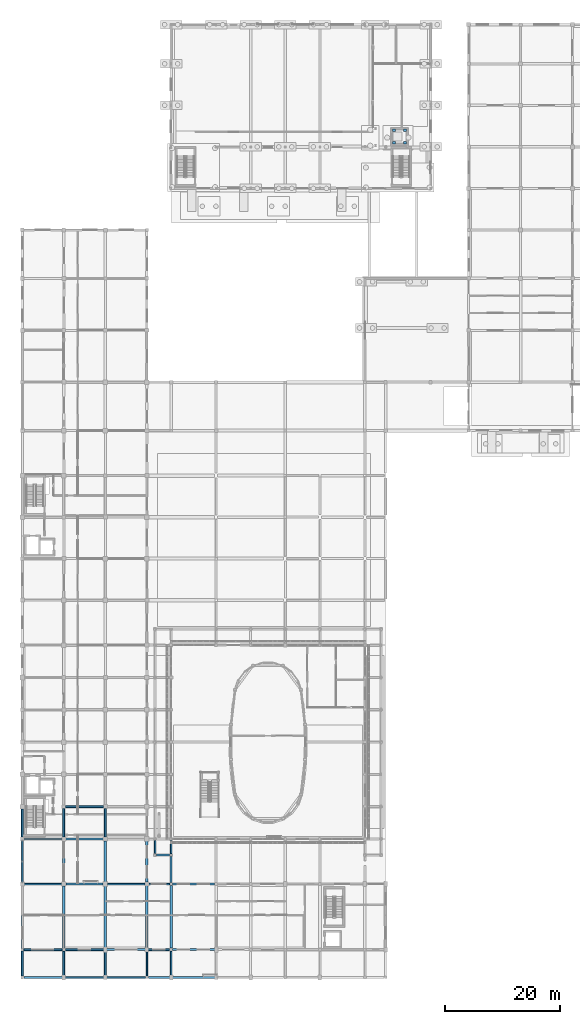
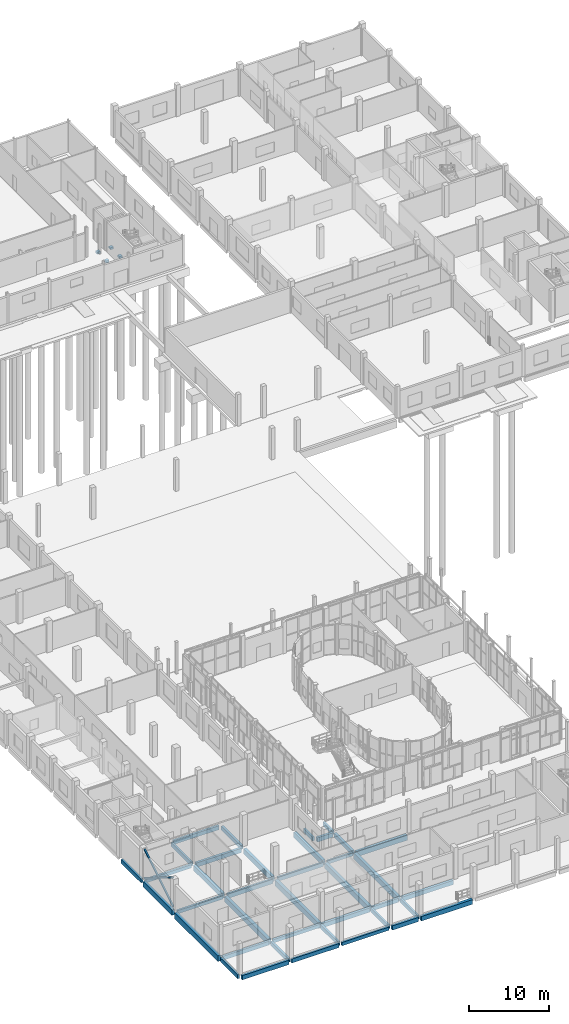
# One storey, part 24 of 91: 39 beams, 4 columns, 3 members.
"""IFC4 building model written with IfcOpenShell, lengths in metres."""

from ifc_helpers import new_model, si_unit, direction, frame, origin, origin_2d, place, context, subcontext, project, spatial, rectangle, hollow_rectangle, extrude, material, material_profile, profile_set, type_object, element, save


model = new_model("IFC4")

# Units and contexts
model_context = context("Model", 3, precision=1e-05, world=origin(), true_north=direction((0.0, 1.0)))
body_context = subcontext(model_context, "Body", "Model", "MODEL_VIEW")
ifc_project = project(units=[si_unit("LENGTHUNIT", "METRE"), si_unit("AREAUNIT", "SQUARE_METRE"), si_unit("VOLUMEUNIT", "CUBIC_METRE"), si_unit("PLANEANGLEUNIT", "RADIAN"), si_unit("MASSUNIT", "GRAM", prefix="KILO")], contexts=[model_context])

# Site, building, storey
site_placement = place(None, origin())
site = spatial("IfcSite", under=ifc_project, at=site_placement, CompositionType="ELEMENT")
building_placement = place(site_placement, origin())
building = spatial("IfcBuilding", under=site, at=building_placement, Name="Vinh Khe Railworks Police Headquarters", CompositionType="ELEMENT")
storey_placement = place(building_placement, origin())
storey = spatial("IfcBuildingStorey", under=building, at=storey_placement, Name="L00", CompositionType="ELEMENT", Elevation=0.0)

# Columns
ifc_material_1 = material(Name="Concrete C40/50 (B40)", Category="concrete")
ifc_material_profile_1 = material_profile(ifc_material_1, rectangle(XDim=0.449951171875, YDim=0.449951171875, at=origin_2d()), Name="RC 450x450")
ifc_profile_set_1 = profile_set([ifc_material_profile_1], Name="Concrete C40/50 (B40)")
column_type = type_object("IfcColumnType", Name="RC Column RC 450x450", PredefinedType="COLUMN", material=ifc_profile_set_1)
for number, where, z_axis, x_axis, name in (
    (1, (65.050048828125, 145.89990234375, -2.14990234375), (0.0, 0.0, 1.0), (1.0, 0.0, 0.0), "Lift Pit Support Pier PL-05-1"),
    (2, (66.949951171875, 145.89990234375, -2.14990234375), (0.0, 0.0, 1.0), (1.0, 0.0, 0.0), "Lift Pit Support Pier PL-05-2"),
    (3, (65.050048828125, 148.10009765625, -2.14990234375), (0.0, 0.0, 1.0), (1.0, 0.0, 0.0), "Lift Pit Support Pier PL-05-3"),
    (4, (66.949951171875, 148.10009765625, -2.14990234375), (0.0, 0.0, 1.0), (1.0, 0.0, 0.0), "Lift Pit Support Pier PL-05-4"),
):
    element("IfcColumn", number, at=place(storey_placement, frame(where, z_axis=z_axis, x_axis=x_axis)), inside=storey, type_object=column_type, Name=name, PredefinedType="COLUMN", context=body_context, shape_type="SweptSolid", body=[
        extrude(rectangle(XDim=0.449951171875, YDim=0.449951171875, at=origin_2d()), origin(), (0.0, 0.0, 1.0), 0.2998046875),
    ])

# Members
ifc_material_2 = material(Name="Steel S355JR", Category="steel")
ifc_material_profile_2 = material_profile(ifc_material_2, hollow_rectangle(XDim=0.199951171875, YDim=0.199951171875, WallThickness=0.012451171875, at=origin_2d()), Name="SHS 200x200x12.5")
ifc_profile_set_2 = profile_set([ifc_material_profile_2], Name="Steel S355JR")
member_type = type_object("IfcMemberType", Name="Concentric Brace SHS 200x200x12.5", PredefinedType="BRACE", material=ifc_profile_set_2)
member_placement = place(storey_placement, frame((0.60009765625, 17.72998046875, 0.199951171875), z_axis=(0.0, 0.852141468204, 0.523311492485), x_axis=(-1.0, 0.0, 0.0)))
element("IfcMember", 5, at=member_placement, inside=storey, type_object=member_type, Name="Continuous Concentric Brace MEM-BR-L00-BR-01-001", PredefinedType="BRACE", context=body_context, shape_type="SweptSolid", body=[
    extrude(hollow_rectangle(XDim=0.199951171875, YDim=0.199951171875, WallThickness=0.012451171875, at=origin_2d()), origin(), (0.0, 0.0, 1.0), 8.408203125),
])
for number, where, z_axis, x_axis, name in (
    (6, (0.60009765625, 17.72998046875, 4.60009765625), (0.0, 0.852130231895, -0.523329788843), (-1.0, 0.0, 0.0), "Split X-Brace Segment MEM-BR-L00-BR-01-002 (2A)"),
    (7, (0.60009765625, 21.401123046875, 2.345703125), (0.0, 0.852130231895, -0.523329788843), (-1.0, 0.0, 0.0), "Split X-Brace Segment MEM-BR-L00-BR-01-003 (2B)"),
):
    element("IfcMember", number, at=place(storey_placement, frame(where, z_axis=z_axis, x_axis=x_axis)), inside=storey, type_object=member_type, Name=name, PredefinedType="BRACE", context=body_context, shape_type="SweptSolid", body=[
        extrude(hollow_rectangle(XDim=0.199951171875, YDim=0.199951171875, WallThickness=0.012451171875, at=origin_2d()), origin(), (0.0, 0.0, 1.0), 4.10009765625),
    ])

# Beams
ifc_material_3 = material(Name="Concrete C35/45 (B35)", Category="concrete")
ifc_material_profile_3 = material_profile(ifc_material_3, rectangle(XDim=0.300048828125, YDim=0.5, at=origin_2d()), Name="RC 300x500")
ifc_profile_set_3 = profile_set([ifc_material_profile_3], Name="Concrete C35/45 (B35)")
beam_type_1 = type_object("IfcBeamType", Name="RC Girder RC 300x500", PredefinedType="BEAM", material=ifc_profile_set_3)
beam_1_placement = place(storey_placement, frame((15.22998046875, 1.199951171875, -0.530029296875), z_axis=(1.0, 0.0, 0.0), x_axis=(0.0, 1.0, 0.0)))
element("IfcBeam", 8, at=beam_1_placement, inside=storey, type_object=beam_type_1, Name="Girder BM-L00-EW-RB-10-0003", PredefinedType="BEAM", context=body_context, shape_type="SweptSolid", body=[
    extrude(rectangle(XDim=0.300048828125, YDim=0.5, at=origin_2d()), origin(), (0.0, 0.0, 1.0), 6.715087890625),
])
beam_2_placement = place(storey_placement, frame((8.080078125, 6.0, -0.530029296875), z_axis=(1.0, 0.0, 0.0), x_axis=(0.0, 1.0, 0.0)))
element("IfcBeam", 9, at=beam_2_placement, inside=storey, type_object=beam_type_1, Name="Girder BM-L00-EW-RB-10-0012", PredefinedType="BEAM", context=body_context, shape_type="SweptSolid", body=[
    extrude(rectangle(XDim=0.300048828125, YDim=0.5, at=origin_2d()), origin(), (0.0, 0.0, 1.0), 6.71484375),
])
beam_3_placement = place(storey_placement, frame((0.929931640625, 17.39990234375, -0.530029296875), z_axis=(1.0, 0.0, 0.0), x_axis=(0.0, 1.0, 0.0)))
element("IfcBeam", 10, at=beam_3_placement, inside=storey, type_object=beam_type_1, Name="Girder BM-L00-EW-RB-10-0021", PredefinedType="BEAM", context=body_context, shape_type="SweptSolid", body=[
    extrude(rectangle(XDim=0.300048828125, YDim=0.5, at=origin_2d()), origin(), (0.0, 0.0, 1.0), 6.51513671875),
])
beam_4_placement = place(storey_placement, frame((22.5048828125, 17.39990234375, -0.530029296875), z_axis=(1.0, 0.0, 0.0), x_axis=(0.0, 1.0, 0.0)))
element("IfcBeam", 11, at=beam_4_placement, inside=storey, type_object=beam_type_1, Name="Girder BM-L00-EW-RB-10-0024", PredefinedType="BEAM", context=body_context, shape_type="SweptSolid", body=[
    extrude(rectangle(XDim=0.300048828125, YDim=0.5, at=origin_2d()), origin(), (0.0, 0.0, 1.0), 3.64013671875),
])
beam_5_placement = place(storey_placement, frame((0.905029296875, 25.199951171875, -0.530029296875), z_axis=(1.0, 0.0, 0.0), x_axis=(0.0, 1.0, 0.0)))
element("IfcBeam", 12, at=beam_5_placement, inside=storey, type_object=beam_type_1, Name="Girder BM-L00-EW-RB-10-0033", PredefinedType="BEAM", context=body_context, shape_type="SweptSolid", body=[
    extrude(rectangle(XDim=0.300048828125, YDim=0.5, at=origin_2d()), origin(), (0.0, 0.0, 1.0), 6.56494140625),
])
ifc_material_profile_4 = material_profile(ifc_material_3, rectangle(XDim=0.300048828125, YDim=0.60009765625, at=origin_2d()), Name="RC 300x600")
ifc_profile_set_4 = profile_set([ifc_material_profile_4], Name="Concrete C35/45 (B35)")
beam_type_2 = type_object("IfcBeamType", Name="RC Girder RC 300x600", PredefinedType="BEAM", material=ifc_profile_set_4)
beam_6_placement = place(storey_placement, frame((8.0048828125, 1.199951171875, -0.580078125), z_axis=(1.0, 0.0, 0.0), x_axis=(0.0, 1.0, 0.0)))
element("IfcBeam", 13, at=beam_6_placement, inside=storey, type_object=beam_type_2, Name="Girder BM-L00-EW-RB-09-0002", PredefinedType="BEAM", context=body_context, shape_type="SweptSolid", body=[
    extrude(rectangle(XDim=0.300048828125, YDim=0.60009765625, at=origin_2d()), origin(), (0.0, 0.0, 1.0), 6.76513671875),
])
beam_7_placement = place(storey_placement, frame((0.85498046875, 6.0, -0.580078125), z_axis=(1.0, 0.0, 0.0), x_axis=(0.0, 1.0, 0.0)))
element("IfcBeam", 14, at=beam_7_placement, inside=storey, type_object=beam_type_2, Name="Girder BM-L00-EW-RB-09-0011", PredefinedType="BEAM", context=body_context, shape_type="SweptSolid", body=[
    extrude(rectangle(XDim=0.300048828125, YDim=0.60009765625, at=origin_2d()), origin(), (0.0, 0.0, 1.0), 6.6650390625),
])
beam_8_placement = place(storey_placement, frame((22.429931640625, 6.0, -0.580078125), z_axis=(1.0, 0.0, 0.0), x_axis=(0.0, 1.0, 0.0)))
element("IfcBeam", 15, at=beam_8_placement, inside=storey, type_object=beam_type_2, Name="Girder BM-L00-EW-RB-09-0014", PredefinedType="BEAM", context=body_context, shape_type="SweptSolid", body=[
    extrude(rectangle(XDim=0.300048828125, YDim=0.60009765625, at=origin_2d()), origin(), (0.0, 0.0, 1.0), 3.690185546875),
])
beam_9_placement = place(storey_placement, frame((15.3798828125, 17.39990234375, -0.580078125), z_axis=(1.0, 0.0, 0.0), x_axis=(0.0, 1.0, 0.0)))
element("IfcBeam", 16, at=beam_9_placement, inside=storey, type_object=beam_type_2, Name="Girder BM-L00-EW-RB-09-0023", PredefinedType="BEAM", context=body_context, shape_type="SweptSolid", body=[
    extrude(rectangle(XDim=0.300048828125, YDim=0.60009765625, at=origin_2d()), origin(), (0.0, 0.0, 1.0), 6.51513671875),
])
beam_10_placement = place(storey_placement, frame((8.10498046875, 30.800048828125, -0.580078125), z_axis=(1.0, 0.0, 0.0), x_axis=(0.0, 1.0, 0.0)))
element("IfcBeam", 17, at=beam_10_placement, inside=storey, type_object=beam_type_2, Name="Girder BM-L00-EW-RB-09-0044", PredefinedType="BEAM", context=body_context, shape_type="SweptSolid", body=[
    extrude(rectangle(XDim=0.300048828125, YDim=0.60009765625, at=origin_2d()), origin(), (0.0, 0.0, 1.0), 6.56494140625),
])
beam_11_placement = place(storey_placement, frame((0.60009765625, 1.47998046875, -0.580078125), z_axis=(0.0, 1.0, 0.0), x_axis=(-1.0, 0.0, 0.0)))
element("IfcBeam", 18, at=beam_11_placement, inside=storey, type_object=beam_type_2, Name="Girder BM-L00-NS-RB-09-0191", PredefinedType="BEAM", context=body_context, shape_type="SweptSolid", body=[
    extrude(rectangle(XDim=0.300048828125, YDim=0.60009765625, at=origin_2d()), origin(), (0.0, 0.0, 1.0), 4.26513671875),
])
beam_12_placement = place(storey_placement, frame((0.60009765625, 25.5048828125, -0.580078125), z_axis=(0.0, 1.0, 0.0), x_axis=(-1.0, 0.0, 0.0)))
element("IfcBeam", 19, at=beam_12_placement, inside=storey, type_object=beam_type_2, Name="Girder BM-L00-NS-RB-09-0194", PredefinedType="BEAM", context=body_context, shape_type="SweptSolid", body=[
    extrude(rectangle(XDim=0.300048828125, YDim=0.60009765625, at=origin_2d()), origin(), (0.0, 0.0, 1.0), 4.9150390625),
])
beam_13_placement = place(storey_placement, frame((7.800048828125, 1.405029296875, -0.580078125), z_axis=(0.0, 1.0, 0.0), x_axis=(-1.0, 0.0, 0.0)))
element("IfcBeam", 20, at=beam_13_placement, inside=storey, type_object=beam_type_2, Name="Girder BM-L00-NS-RB-09-0209", PredefinedType="BEAM", context=body_context, shape_type="SweptSolid", body=[
    extrude(rectangle(XDim=0.300048828125, YDim=0.60009765625, at=origin_2d()), origin(), (0.0, 0.0, 1.0), 4.31494140625),
])
beam_14_placement = place(storey_placement, frame((7.800048828125, 25.530029296875, -0.580078125), z_axis=(0.0, 1.0, 0.0), x_axis=(-1.0, 0.0, 0.0)))
element("IfcBeam", 21, at=beam_14_placement, inside=storey, type_object=beam_type_2, Name="Girder BM-L00-NS-RB-09-0212", PredefinedType="BEAM", context=body_context, shape_type="SweptSolid", body=[
    extrude(rectangle(XDim=0.300048828125, YDim=0.60009765625, at=origin_2d()), origin(), (0.0, 0.0, 1.0), 4.965087890625),
])
beam_15_placement = place(storey_placement, frame((15.0, 1.429931640625, -0.580078125), z_axis=(0.0, 1.0, 0.0), x_axis=(-1.0, 0.0, 0.0)))
element("IfcBeam", 22, at=beam_15_placement, inside=storey, type_object=beam_type_2, Name="Girder BM-L00-NS-RB-09-0227", PredefinedType="BEAM", context=body_context, shape_type="SweptSolid", body=[
    extrude(rectangle(XDim=0.300048828125, YDim=0.60009765625, at=origin_2d()), origin(), (0.0, 0.0, 1.0), 4.364990234375),
])
beam_16_placement = place(storey_placement, frame((15.0, 25.554931640625, -0.580078125), z_axis=(0.0, 1.0, 0.0), x_axis=(-1.0, 0.0, 0.0)))
element("IfcBeam", 23, at=beam_16_placement, inside=storey, type_object=beam_type_2, Name="Girder BM-L00-NS-RB-09-0230", PredefinedType="BEAM", context=body_context, shape_type="SweptSolid", body=[
    extrude(rectangle(XDim=0.300048828125, YDim=0.60009765625, at=origin_2d()), origin(), (0.0, 0.0, 1.0), 4.9150390625),
])
beam_17_placement = place(storey_placement, frame((22.199951171875, 1.455078125, -0.580078125), z_axis=(0.0, 1.0, 0.0), x_axis=(-1.0, 0.0, 0.0)))
element("IfcBeam", 24, at=beam_17_placement, inside=storey, type_object=beam_type_2, Name="Girder BM-L00-NS-RB-09-0245", PredefinedType="BEAM", context=body_context, shape_type="SweptSolid", body=[
    extrude(rectangle(XDim=0.300048828125, YDim=0.60009765625, at=origin_2d()), origin(), (0.0, 0.0, 1.0), 4.31494140625),
])
beam_18_placement = place(storey_placement, frame((23.60009765625, 22.705078125, -0.580078125), z_axis=(0.0, 1.0, 0.0), x_axis=(-1.0, 0.0, 0.0)))
element("IfcBeam", 25, at=beam_18_placement, inside=storey, type_object=beam_type_2, Name="Girder BM-L00-NS-RB-09-0263", PredefinedType="BEAM", context=body_context, shape_type="SweptSolid", body=[
    extrude(rectangle(XDim=0.300048828125, YDim=0.60009765625, at=origin_2d()), origin(), (0.0, 0.0, 1.0), 2.21484375),
])
beam_19_placement = place(storey_placement, frame((26.39990234375, 1.405029296875, -0.580078125), z_axis=(0.0, 1.0, 0.0), x_axis=(-1.0, 0.0, 0.0)))
element("IfcBeam", 26, at=beam_19_placement, inside=storey, type_object=beam_type_2, Name="Girder BM-L00-NS-RB-09-0272", PredefinedType="BEAM", context=body_context, shape_type="SweptSolid", body=[
    extrude(rectangle(XDim=0.300048828125, YDim=0.60009765625, at=origin_2d()), origin(), (0.0, 0.0, 1.0), 4.31494140625),
])
beam_20_placement = place(storey_placement, frame((26.39990234375, 22.655029296875, -0.580078125), z_axis=(0.0, 1.0, 0.0), x_axis=(-1.0, 0.0, 0.0)))
element("IfcBeam", 27, at=beam_20_placement, inside=storey, type_object=beam_type_2, Name="Girder BM-L00-NS-RB-09-0275", PredefinedType="BEAM", context=body_context, shape_type="SweptSolid", body=[
    extrude(rectangle(XDim=0.300048828125, YDim=0.60009765625, at=origin_2d()), origin(), (0.0, 0.0, 1.0), 2.2900390625),
])
ifc_material_profile_5 = material_profile(ifc_material_3, rectangle(XDim=0.35009765625, YDim=0.64990234375, at=origin_2d()), Name="RC 350x650")
ifc_profile_set_5 = profile_set([ifc_material_profile_5], Name="Concrete C35/45 (B35)")
beam_type_3 = type_object("IfcBeamType", Name="RC Girder RC 350x650", PredefinedType="BEAM", material=ifc_profile_set_5)
beam_21_placement = place(storey_placement, frame((0.8798828125, 1.199951171875, -0.60498046875), z_axis=(1.0, 0.0, 0.0), x_axis=(0.0, 1.0, 0.0)))
element("IfcBeam", 28, at=beam_21_placement, inside=storey, type_object=beam_type_3, Name="Girder BM-L00-EW-RB-08-0001", PredefinedType="BEAM", context=body_context, shape_type="SweptSolid", body=[
    extrude(rectangle(XDim=0.35009765625, YDim=0.64990234375, at=origin_2d()), origin(), (0.0, 0.0, 1.0), 6.715087890625),
])
beam_22_placement = place(storey_placement, frame((22.455078125, 1.199951171875, -0.60498046875), z_axis=(1.0, 0.0, 0.0), x_axis=(0.0, 1.0, 0.0)))
element("IfcBeam", 29, at=beam_22_placement, inside=storey, type_object=beam_type_3, Name="Girder BM-L00-EW-RB-08-0004", PredefinedType="BEAM", context=body_context, shape_type="SweptSolid", body=[
    extrude(rectangle(XDim=0.35009765625, YDim=0.64990234375, at=origin_2d()), origin(), (0.0, 0.0, 1.0), 3.739990234375),
])
beam_23_placement = place(storey_placement, frame((15.205078125, 6.0, -0.60498046875), z_axis=(1.0, 0.0, 0.0), x_axis=(0.0, 1.0, 0.0)))
element("IfcBeam", 30, at=beam_23_placement, inside=storey, type_object=beam_type_3, Name="Girder BM-L00-EW-RB-08-0013", PredefinedType="BEAM", context=body_context, shape_type="SweptSolid", body=[
    extrude(rectangle(XDim=0.35009765625, YDim=0.64990234375, at=origin_2d()), origin(), (0.0, 0.0, 1.0), 6.764892578125),
])
beam_24_placement = place(storey_placement, frame((26.679931640625, 6.0, -0.60498046875), z_axis=(1.0, 0.0, 0.0), x_axis=(0.0, 1.0, 0.0)))
element("IfcBeam", 31, at=beam_24_placement, inside=storey, type_object=beam_type_3, Name="Girder BM-L00-EW-RB-08-0015", PredefinedType="BEAM", context=body_context, shape_type="SweptSolid", body=[
    extrude(rectangle(XDim=0.35009765625, YDim=0.64990234375, at=origin_2d()), origin(), (0.0, 0.0, 1.0), 7.315185546875),
])
beam_25_placement = place(storey_placement, frame((8.155029296875, 17.39990234375, -0.60498046875), z_axis=(1.0, 0.0, 0.0), x_axis=(0.0, 1.0, 0.0)))
element("IfcBeam", 32, at=beam_25_placement, inside=storey, type_object=beam_type_3, Name="Girder BM-L00-EW-RB-08-0022", PredefinedType="BEAM", context=body_context, shape_type="SweptSolid", body=[
    extrude(rectangle(XDim=0.35009765625, YDim=0.64990234375, at=origin_2d()), origin(), (0.0, 0.0, 1.0), 6.465087890625),
])
beam_26_placement = place(storey_placement, frame((23.905029296875, 22.39990234375, -0.60498046875), z_axis=(1.0, 0.0, 0.0), x_axis=(0.0, 1.0, 0.0)))
element("IfcBeam", 33, at=beam_26_placement, inside=storey, type_object=beam_type_3, Name="Girder BM-L00-EW-RB-08-0031", PredefinedType="BEAM", context=body_context, shape_type="SweptSolid", body=[
    extrude(rectangle(XDim=0.35009765625, YDim=0.64990234375, at=origin_2d()), origin(), (0.0, 0.0, 1.0), 2.239990234375),
])
beam_27_placement = place(storey_placement, frame((8.1298828125, 25.199951171875, -0.60498046875), z_axis=(1.0, 0.0, 0.0), x_axis=(0.0, 1.0, 0.0)))
element("IfcBeam", 34, at=beam_27_placement, inside=storey, type_object=beam_type_3, Name="Girder BM-L00-EW-RB-08-0034", PredefinedType="BEAM", context=body_context, shape_type="SweptSolid", body=[
    extrude(rectangle(XDim=0.35009765625, YDim=0.64990234375, at=origin_2d()), origin(), (0.0, 0.0, 1.0), 6.51513671875),
])
beam_28_placement = place(storey_placement, frame((26.39990234375, 17.655029296875, -0.60498046875), z_axis=(0.0, 1.0, 0.0), x_axis=(-1.0, 0.0, 0.0)))
element("IfcBeam", 35, at=beam_28_placement, inside=storey, type_object=beam_type_3, Name="Girder BM-L00-NS-RB-08-0274", PredefinedType="BEAM", context=body_context, shape_type="SweptSolid", body=[
    extrude(rectangle(XDim=0.35009765625, YDim=0.64990234375, at=origin_2d()), origin(), (0.0, 0.0, 1.0), 4.489990234375),
])
ifc_material_profile_6 = material_profile(ifc_material_3, rectangle(XDim=0.39990234375, YDim=0.699951171875, at=origin_2d()), Name="RC 400x700")
ifc_profile_set_6 = profile_set([ifc_material_profile_6], Name="Concrete C35/45 (B35)")
beam_type_4 = type_object("IfcBeamType", Name="RC Girder RC 400x700", PredefinedType="BEAM", material=ifc_profile_set_6)
beam_29_placement = place(storey_placement, frame((26.60498046875, 1.199951171875, -0.6298828125), z_axis=(1.0, 0.0, 0.0), x_axis=(0.0, 1.0, 0.0)))
element("IfcBeam", 36, at=beam_29_placement, inside=storey, type_object=beam_type_4, Name="Girder BM-L00-EW-RB-07-0005", PredefinedType="BEAM", context=body_context, shape_type="SweptSolid", body=[
    extrude(rectangle(XDim=0.39990234375, YDim=0.699951171875, at=origin_2d()), origin(), (0.0, 0.0, 1.0), 7.364990234375),
])
ifc_material_profile_7 = material_profile(ifc_material_3, rectangle(XDim=0.39990234375, YDim=0.800048828125, at=origin_2d()), Name="RC 400x800")
ifc_profile_set_7 = profile_set([ifc_material_profile_7], Name="Concrete C35/45 (B35)")
beam_type_5 = type_object("IfcBeamType", Name="RC Girder RC 400x800", PredefinedType="BEAM", material=ifc_profile_set_7)
beam_30_placement = place(storey_placement, frame((26.655029296875, 17.39990234375, -0.679931640625), z_axis=(1.0, 0.0, 0.0), x_axis=(0.0, 1.0, 0.0)))
element("IfcBeam", 37, at=beam_30_placement, inside=storey, type_object=beam_type_5, Name="Girder BM-L00-EW-RB-06-0025", PredefinedType="BEAM", context=body_context, shape_type="SweptSolid", body=[
    extrude(rectangle(XDim=0.39990234375, YDim=0.800048828125, at=origin_2d()), origin(), (0.0, 0.0, 1.0), 7.264892578125),
])
beam_31_placement = place(storey_placement, frame((0.60009765625, 17.72998046875, -0.679931640625), z_axis=(0.0, 1.0, 0.0), x_axis=(-1.0, 0.0, 0.0)))
element("IfcBeam", 38, at=beam_31_placement, inside=storey, type_object=beam_type_5, Name="Girder BM-L00-NS-RB-06-0193", PredefinedType="BEAM", context=body_context, shape_type="SweptSolid", body=[
    extrude(rectangle(XDim=0.39990234375, YDim=0.800048828125, at=origin_2d()), origin(), (0.0, 0.0, 1.0), 7.1650390625),
])
beam_32_placement = place(storey_placement, frame((7.800048828125, 17.7548828125, -0.679931640625), z_axis=(0.0, 1.0, 0.0), x_axis=(-1.0, 0.0, 0.0)))
element("IfcBeam", 39, at=beam_32_placement, inside=storey, type_object=beam_type_5, Name="Girder BM-L00-NS-RB-06-0211", PredefinedType="BEAM", context=body_context, shape_type="SweptSolid", body=[
    extrude(rectangle(XDim=0.39990234375, YDim=0.800048828125, at=origin_2d()), origin(), (0.0, 0.0, 1.0), 7.115234375),
])
beam_33_placement = place(storey_placement, frame((15.0, 17.780029296875, -0.679931640625), z_axis=(0.0, 1.0, 0.0), x_axis=(-1.0, 0.0, 0.0)))
element("IfcBeam", 40, at=beam_33_placement, inside=storey, type_object=beam_type_5, Name="Girder BM-L00-NS-RB-06-0229", PredefinedType="BEAM", context=body_context, shape_type="SweptSolid", body=[
    extrude(rectangle(XDim=0.39990234375, YDim=0.800048828125, at=origin_2d()), origin(), (0.0, 0.0, 1.0), 7.06494140625),
])
beam_34_placement = place(storey_placement, frame((22.199951171875, 17.705078125, -0.679931640625), z_axis=(0.0, 1.0, 0.0), x_axis=(-1.0, 0.0, 0.0)))
element("IfcBeam", 41, at=beam_34_placement, inside=storey, type_object=beam_type_5, Name="Girder BM-L00-NS-RB-06-0247", PredefinedType="BEAM", context=body_context, shape_type="SweptSolid", body=[
    extrude(rectangle(XDim=0.39990234375, YDim=0.800048828125, at=origin_2d()), origin(), (0.0, 0.0, 1.0), 7.114990234375),
])
ifc_material_profile_8 = material_profile(ifc_material_3, rectangle(XDim=0.449951171875, YDim=0.85009765625, at=origin_2d()), Name="RC 450x850")
ifc_profile_set_8 = profile_set([ifc_material_profile_8], Name="Concrete C35/45 (B35)")
beam_type_6 = type_object("IfcBeamType", Name="RC Girder RC 450x850", PredefinedType="BEAM", material=ifc_profile_set_8)
beam_35_placement = place(storey_placement, frame((0.60009765625, 6.2548828125, -0.705078125), z_axis=(0.0, 1.0, 0.0), x_axis=(-1.0, 0.0, 0.0)))
element("IfcBeam", 42, at=beam_35_placement, inside=storey, type_object=beam_type_6, Name="Girder BM-L00-NS-RB-05-0192", PredefinedType="BEAM", context=body_context, shape_type="SweptSolid", body=[
    extrude(rectangle(XDim=0.449951171875, YDim=0.85009765625, at=origin_2d()), origin(), (0.0, 0.0, 1.0), 10.815185546875),
])
beam_36_placement = place(storey_placement, frame((7.800048828125, 6.280029296875, -0.705078125), z_axis=(0.0, 1.0, 0.0), x_axis=(-1.0, 0.0, 0.0)))
element("IfcBeam", 43, at=beam_36_placement, inside=storey, type_object=beam_type_6, Name="Girder BM-L00-NS-RB-05-0210", PredefinedType="BEAM", context=body_context, shape_type="SweptSolid", body=[
    extrude(rectangle(XDim=0.449951171875, YDim=0.85009765625, at=origin_2d()), origin(), (0.0, 0.0, 1.0), 10.764892578125),
])
beam_37_placement = place(storey_placement, frame((15.0, 6.205078125, -0.705078125), z_axis=(0.0, 1.0, 0.0), x_axis=(-1.0, 0.0, 0.0)))
element("IfcBeam", 44, at=beam_37_placement, inside=storey, type_object=beam_type_6, Name="Girder BM-L00-NS-RB-05-0228", PredefinedType="BEAM", context=body_context, shape_type="SweptSolid", body=[
    extrude(rectangle(XDim=0.449951171875, YDim=0.85009765625, at=origin_2d()), origin(), (0.0, 0.0, 1.0), 10.81494140625),
])
for number, where, z_axis, x_axis, name in (
    (45, (22.199951171875, 6.22998046875, -0.705078125), (0.0, 1.0, 0.0), (-1.0, 0.0, 0.0), "Girder BM-L00-NS-RB-05-0246"),
    (46, (26.39990234375, 6.280029296875, -0.705078125), (0.0, 1.0, 0.0), (-1.0, 0.0, 0.0), "Girder BM-L00-NS-RB-05-0273"),
):
    element("IfcBeam", number, at=place(storey_placement, frame(where, z_axis=z_axis, x_axis=x_axis)), inside=storey, type_object=beam_type_6, Name=name, PredefinedType="BEAM", context=body_context, shape_type="SweptSolid", body=[
        extrude(rectangle(XDim=0.449951171875, YDim=0.85009765625, at=origin_2d()), origin(), (0.0, 0.0, 1.0), 10.864990234375),
    ])

save(model, "model.ifc")
